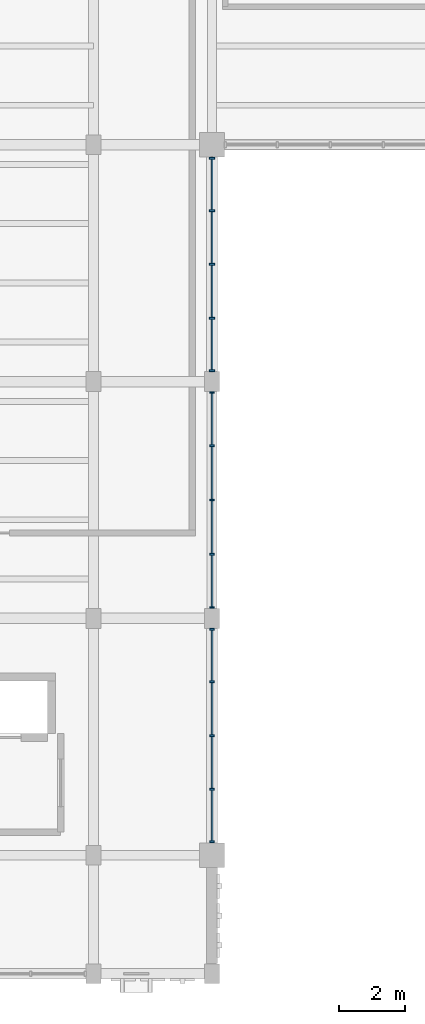
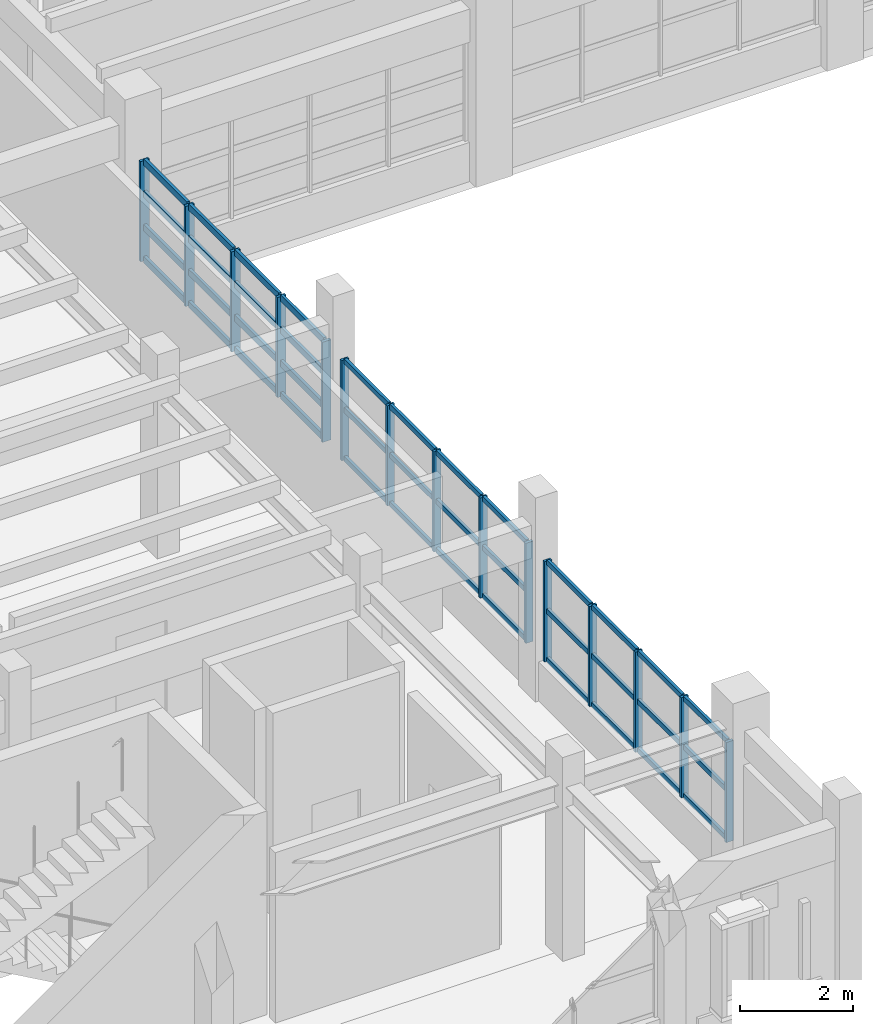
# One storey, part 15 of 69: 55 members, 3 elements without a shape of their own.
"""IFC4 building model written with IfcOpenShell, lengths in metres."""

from ifc_helpers import new_model, si_unit, direction, frame, origin, origin_2d, place, context, subcontext, project, spatial, rectangle, extrude, material, material_profile, profile_set, type_object, element, aggregate, save


model = new_model("IFC4")

# Units and contexts
model_context = context("Model", 3, precision=1e-05, world=origin(), true_north=direction((0.0, 1.0)))
body_context = subcontext(model_context, "Body", "Model", "MODEL_VIEW")
ifc_project = project(units=[si_unit("LENGTHUNIT", "METRE"), si_unit("AREAUNIT", "SQUARE_METRE"), si_unit("VOLUMEUNIT", "CUBIC_METRE"), si_unit("PLANEANGLEUNIT", "RADIAN"), si_unit("MASSUNIT", "GRAM", prefix="KILO")], contexts=[model_context])

# Site, building, storey
site_placement = place(None, origin())
site = spatial("IfcSite", under=ifc_project, at=site_placement, CompositionType="ELEMENT")
building_placement = place(site_placement, origin())
building = spatial("IfcBuilding", under=site, at=building_placement, Name="Nzembalo Square Collegiate School", CompositionType="ELEMENT")
storey_placement = place(building_placement, frame((0.0, 0.0, 5.10009765625)))
storey = spatial("IfcBuildingStorey", under=building, at=storey_placement, Name="L01", CompositionType="ELEMENT", Elevation=5.10009765625)

# Curtain wall, members
ifc_material_1 = material(Name="Aluminium 6060-T66", Category="aluminium")
curtain_wall_type_1 = type_object("IfcCurtainWallType", Name="CW-05", PredefinedType="USERDEFINED", material=ifc_material_1)
curtain_wall_1_placement = place(storey_placement, origin())
curtain_wall_1 = element("IfcCurtainWall", 1, at=curtain_wall_1_placement, inside=storey, type_object=curtain_wall_type_1, Name="Curtain wall CW-05 cw:L01:092", ObjectType="LANCET", PredefinedType="USERDEFINED")
ifc_material_2 = material(Name="Aluminium 6060-T66", Category="aluminium")
ifc_material_profile_1 = material_profile(ifc_material_2, rectangle(XDim=0.06005859375, YDim=0.179931640625, at=origin_2d()), Name="ALU M60x180")
ifc_profile_set_1 = profile_set([ifc_material_profile_1], Name="Aluminium 6060-T66")
member_type_1 = type_object("IfcMemberType", Name="ML01", PredefinedType="MULLION", material=ifc_profile_set_1)
member_1_placement = place(storey_placement, frame((40.800048828125, 97.531982421875, 0.849853515625), z_axis=(0.0, 0.0, 1.0), x_axis=(0.0, 1.0, 0.0)))
member_1 = element("IfcMember", 2, at=member_1_placement, type_object=member_type_1, Name="ML01 mullion 1", PredefinedType="MULLION", context=body_context, shape_type="SweptSolid", body=[
    extrude(rectangle(XDim=0.06005859375, YDim=0.179931640625, at=origin_2d()), origin(), (0.0, 0.0, 1.0), 2.174072265625),
])
member_2_placement = place(storey_placement, frame((40.800048828125, 99.13232421875, 0.849853515625), z_axis=(0.0, 0.0, 1.0), x_axis=(0.0, 1.0, 0.0)))
member_2 = element("IfcMember", 3, at=member_2_placement, type_object=member_type_1, Name="ML01 mullion 2", PredefinedType="MULLION", context=body_context, shape_type="SweptSolid", body=[
    extrude(rectangle(XDim=0.06005859375, YDim=0.179931640625, at=origin_2d()), origin(), (0.0, 0.0, 1.0), 2.174072265625),
])
member_3_placement = place(storey_placement, frame((40.800048828125, 100.762451171875, 0.849853515625), z_axis=(0.0, 0.0, 1.0), x_axis=(0.0, 1.0, 0.0)))
member_3 = element("IfcMember", 4, at=member_3_placement, type_object=member_type_1, Name="ML01 mullion 3", PredefinedType="MULLION", context=body_context, shape_type="SweptSolid", body=[
    extrude(rectangle(XDim=0.06005859375, YDim=0.179931640625, at=origin_2d()), origin(), (0.0, 0.0, 1.0), 2.174072265625),
])
member_4_placement = place(storey_placement, frame((40.800048828125, 102.392822265625, 0.849853515625), z_axis=(0.0, 0.0, 1.0), x_axis=(0.0, 1.0, 0.0)))
member_4 = element("IfcMember", 5, at=member_4_placement, type_object=member_type_1, Name="ML01 mullion 4", PredefinedType="MULLION", context=body_context, shape_type="SweptSolid", body=[
    extrude(rectangle(XDim=0.06005859375, YDim=0.179931640625, at=origin_2d()), origin(), (0.0, 0.0, 1.0), 2.174072265625),
])
member_5_placement = place(storey_placement, frame((40.800048828125, 103.992919921875, 0.849853515625), z_axis=(0.0, 0.0, 1.0), x_axis=(0.0, 1.0, 0.0)))
member_5 = element("IfcMember", 6, at=member_5_placement, type_object=member_type_1, Name="ML01 mullion 5", PredefinedType="MULLION", context=body_context, shape_type="SweptSolid", body=[
    extrude(rectangle(XDim=0.06005859375, YDim=0.179931640625, at=origin_2d()), origin(), (0.0, 0.0, 1.0), 2.174072265625),
])

ifc_material_3 = material(Name="Aluminium 6060-T66", Category="aluminium")
curtain_wall_type_2 = type_object("IfcCurtainWallType", Name="CW-03", PredefinedType="USERDEFINED", material=ifc_material_3)
curtain_wall_2_placement = place(storey_placement, origin())
curtain_wall_2 = element("IfcCurtainWall", 7, at=curtain_wall_2_placement, inside=storey, type_object=curtain_wall_type_2, Name="Curtain wall CW-03 cw:L01:090", ObjectType="UNITISED", PredefinedType="USERDEFINED")
ifc_material_4 = material(Name="Aluminium 6060-T66", Category="aluminium")
ifc_material_profile_2 = material_profile(ifc_material_4, rectangle(XDim=0.06005859375, YDim=0.14990234375, at=origin_2d()), Name="ALU M60x150")
ifc_profile_set_2 = profile_set([ifc_material_profile_2], Name="Aluminium 6060-T66")
member_type_2 = type_object("IfcMemberType", Name="ML02", PredefinedType="MULLION", material=ifc_profile_set_2)
member_6_placement = place(storey_placement, frame((40.800048828125, 83.20703125, 0.849853515625), z_axis=(0.0, 0.0, 1.0), x_axis=(0.0, 1.0, 0.0)))
member_6 = element("IfcMember", 8, at=member_6_placement, type_object=member_type_2, Name="ML02 mullion 1", PredefinedType="MULLION", context=body_context, shape_type="SweptSolid", body=[
    extrude(rectangle(XDim=0.06005859375, YDim=0.14990234375, at=origin_2d()), origin(), (0.0, 0.0, 1.0), 2.174072265625),
])
member_7_placement = place(storey_placement, frame((40.800048828125, 84.80712890625, 0.849853515625), z_axis=(0.0, 0.0, 1.0), x_axis=(0.0, 1.0, 0.0)))
member_7 = element("IfcMember", 9, at=member_7_placement, type_object=member_type_2, Name="ML02 mullion 2", PredefinedType="MULLION", context=body_context, shape_type="SweptSolid", body=[
    extrude(rectangle(XDim=0.06005859375, YDim=0.14990234375, at=origin_2d()), origin(), (0.0, 0.0, 1.0), 2.174072265625),
])
member_8_placement = place(storey_placement, frame((40.800048828125, 86.4375, 0.849853515625), z_axis=(0.0, 0.0, 1.0), x_axis=(0.0, 1.0, 0.0)))
member_8 = element("IfcMember", 10, at=member_8_placement, type_object=member_type_2, Name="ML02 mullion 3", PredefinedType="MULLION", context=body_context, shape_type="SweptSolid", body=[
    extrude(rectangle(XDim=0.06005859375, YDim=0.14990234375, at=origin_2d()), origin(), (0.0, 0.0, 1.0), 2.174072265625),
])
member_9_placement = place(storey_placement, frame((40.800048828125, 88.06787109375, 0.849853515625), z_axis=(0.0, 0.0, 1.0), x_axis=(0.0, 1.0, 0.0)))
member_9 = element("IfcMember", 11, at=member_9_placement, type_object=member_type_2, Name="ML02 mullion 4", PredefinedType="MULLION", context=body_context, shape_type="SweptSolid", body=[
    extrude(rectangle(XDim=0.06005859375, YDim=0.14990234375, at=origin_2d()), origin(), (0.0, 0.0, 1.0), 2.174072265625),
])
member_10_placement = place(storey_placement, frame((40.800048828125, 89.66796875, 0.849853515625), z_axis=(0.0, 0.0, 1.0), x_axis=(0.0, 1.0, 0.0)))
member_10 = element("IfcMember", 12, at=member_10_placement, type_object=member_type_2, Name="ML02 mullion 5", PredefinedType="MULLION", context=body_context, shape_type="SweptSolid", body=[
    extrude(rectangle(XDim=0.06005859375, YDim=0.14990234375, at=origin_2d()), origin(), (0.0, 0.0, 1.0), 2.174072265625),
])

ifc_material_5 = material(Name="Aluminium 6060-T66", Category="aluminium")
curtain_wall_type_3 = type_object("IfcCurtainWallType", Name="CW-04", PredefinedType="USERDEFINED", material=ifc_material_5)
curtain_wall_3_placement = place(storey_placement, origin())
curtain_wall_3 = element("IfcCurtainWall", 13, at=curtain_wall_3_placement, inside=storey, type_object=curtain_wall_type_3, Name="Curtain wall CW-04 cw:L01:091", ObjectType="UNITISED", PredefinedType="USERDEFINED")
member_11_placement = place(storey_placement, frame((40.800048828125, 90.33203125, 0.849853515625), z_axis=(0.0, 0.0, 1.0), x_axis=(0.0, 1.0, 0.0)))
member_11 = element("IfcMember", 14, at=member_11_placement, type_object=member_type_2, Name="ML02 mullion 1", PredefinedType="MULLION", context=body_context, shape_type="SweptSolid", body=[
    extrude(rectangle(XDim=0.06005859375, YDim=0.14990234375, at=origin_2d()), origin(), (0.0, 0.0, 1.0), 2.174072265625),
])
member_12_placement = place(storey_placement, frame((40.800048828125, 91.950927734375, 0.849853515625), z_axis=(0.0, 0.0, 1.0), x_axis=(0.0, 1.0, 0.0)))
member_12 = element("IfcMember", 15, at=member_12_placement, type_object=member_type_2, Name="ML02 mullion 2", PredefinedType="MULLION", context=body_context, shape_type="SweptSolid", body=[
    extrude(rectangle(XDim=0.06005859375, YDim=0.14990234375, at=origin_2d()), origin(), (0.0, 0.0, 1.0), 2.174072265625),
])
member_13_placement = place(storey_placement, frame((40.800048828125, 93.60009765625, 0.849853515625), z_axis=(0.0, 0.0, 1.0), x_axis=(0.0, 1.0, 0.0)))
member_13 = element("IfcMember", 16, at=member_13_placement, type_object=member_type_2, Name="ML02 mullion 3", PredefinedType="MULLION", context=body_context, shape_type="SweptSolid", body=[
    extrude(rectangle(XDim=0.06005859375, YDim=0.14990234375, at=origin_2d()), origin(), (0.0, 0.0, 1.0), 2.174072265625),
])
member_14_placement = place(storey_placement, frame((40.800048828125, 95.2490234375, 0.849853515625), z_axis=(0.0, 0.0, 1.0), x_axis=(0.0, 1.0, 0.0)))
member_14 = element("IfcMember", 17, at=member_14_placement, type_object=member_type_2, Name="ML02 mullion 4", PredefinedType="MULLION", context=body_context, shape_type="SweptSolid", body=[
    extrude(rectangle(XDim=0.06005859375, YDim=0.14990234375, at=origin_2d()), origin(), (0.0, 0.0, 1.0), 2.174072265625),
])
member_15_placement = place(storey_placement, frame((40.800048828125, 96.867919921875, 0.849853515625), z_axis=(0.0, 0.0, 1.0), x_axis=(0.0, 1.0, 0.0)))
member_15 = element("IfcMember", 18, at=member_15_placement, type_object=member_type_2, Name="ML02 mullion 5", PredefinedType="MULLION", context=body_context, shape_type="SweptSolid", body=[
    extrude(rectangle(XDim=0.06005859375, YDim=0.14990234375, at=origin_2d()), origin(), (0.0, 0.0, 1.0), 2.174072265625),
])

# Member
ifc_material_6 = material(Name="Aluminium 6060-T66", Category="aluminium")
ifc_material_profile_3 = material_profile(ifc_material_6, rectangle(XDim=0.06005859375, YDim=0.139892578125, at=origin_2d()), Name="ALU T60x140")
ifc_profile_set_3 = profile_set([ifc_material_profile_3], Name="Aluminium 6060-T66")
member_type_3 = type_object("IfcMemberType", Name="TR01", PredefinedType="USERDEFINED", material=ifc_profile_set_3)
member_16_placement = place(storey_placement, frame((40.800048828125, 97.56201171875, 0.8798828125), z_axis=(0.0, 1.0, 0.0), x_axis=(-1.0, 0.0, 0.0)))
member_16 = element("IfcMember", 19, at=member_16_placement, type_object=member_type_3, Name="TR01 transom 1-1", ObjectType="TRANSOM", PredefinedType="USERDEFINED", context=body_context, shape_type="SweptSolid", body=[
    extrude(rectangle(XDim=0.06005859375, YDim=0.139892578125, at=origin_2d()), origin(), (0.0, 0.0, 1.0), 1.540283203125),
])

member_17_placement = place(storey_placement, frame((40.800048828125, 99.162353515625, 0.8798828125), z_axis=(0.0, 1.0, 0.0), x_axis=(-1.0, 0.0, 0.0)))
member_17 = element("IfcMember", 20, at=member_17_placement, type_object=member_type_3, Name="TR01 transom 1-2", ObjectType="TRANSOM", PredefinedType="USERDEFINED", context=body_context, shape_type="SweptSolid", body=[
    extrude(rectangle(XDim=0.06005859375, YDim=0.139892578125, at=origin_2d()), origin(), (0.0, 0.0, 1.0), 1.570068359375),
])

member_18_placement = place(storey_placement, frame((40.800048828125, 100.79248046875, 0.8798828125), z_axis=(0.0, 1.0, 0.0), x_axis=(-1.0, 0.0, 0.0)))
member_18 = element("IfcMember", 21, at=member_18_placement, type_object=member_type_3, Name="TR01 transom 1-3", ObjectType="TRANSOM", PredefinedType="USERDEFINED", context=body_context, shape_type="SweptSolid", body=[
    extrude(rectangle(XDim=0.06005859375, YDim=0.139892578125, at=origin_2d()), origin(), (0.0, 0.0, 1.0), 1.5703125),
])

member_19_placement = place(storey_placement, frame((40.800048828125, 102.4228515625, 0.8798828125), z_axis=(0.0, 1.0, 0.0), x_axis=(-1.0, 0.0, 0.0)))
member_19 = element("IfcMember", 22, at=member_19_placement, type_object=member_type_3, Name="TR01 transom 1-4", ObjectType="TRANSOM", PredefinedType="USERDEFINED", context=body_context, shape_type="SweptSolid", body=[
    extrude(rectangle(XDim=0.06005859375, YDim=0.139892578125, at=origin_2d()), origin(), (0.0, 0.0, 1.0), 1.5400390625),
])

member_20_placement = place(storey_placement, frame((40.800048828125, 97.56201171875, 1.574462890625), z_axis=(0.0, 1.0, 0.0), x_axis=(-1.0, 0.0, 0.0)))
member_20 = element("IfcMember", 23, at=member_20_placement, type_object=member_type_3, Name="TR01 transom 2-1", ObjectType="TRANSOM", PredefinedType="USERDEFINED", context=body_context, shape_type="SweptSolid", body=[
    extrude(rectangle(XDim=0.06005859375, YDim=0.139892578125, at=origin_2d()), origin(), (0.0, 0.0, 1.0), 1.540283203125),
])

member_21_placement = place(storey_placement, frame((40.800048828125, 99.162353515625, 1.574462890625), z_axis=(0.0, 1.0, 0.0), x_axis=(-1.0, 0.0, 0.0)))
member_21 = element("IfcMember", 24, at=member_21_placement, type_object=member_type_3, Name="TR01 transom 2-2", ObjectType="TRANSOM", PredefinedType="USERDEFINED", context=body_context, shape_type="SweptSolid", body=[
    extrude(rectangle(XDim=0.06005859375, YDim=0.139892578125, at=origin_2d()), origin(), (0.0, 0.0, 1.0), 1.570068359375),
])

member_22_placement = place(storey_placement, frame((40.800048828125, 100.79248046875, 1.574462890625), z_axis=(0.0, 1.0, 0.0), x_axis=(-1.0, 0.0, 0.0)))
member_22 = element("IfcMember", 25, at=member_22_placement, type_object=member_type_3, Name="TR01 transom 2-3", ObjectType="TRANSOM", PredefinedType="USERDEFINED", context=body_context, shape_type="SweptSolid", body=[
    extrude(rectangle(XDim=0.06005859375, YDim=0.139892578125, at=origin_2d()), origin(), (0.0, 0.0, 1.0), 1.5703125),
])

member_23_placement = place(storey_placement, frame((40.800048828125, 102.4228515625, 1.574462890625), z_axis=(0.0, 1.0, 0.0), x_axis=(-1.0, 0.0, 0.0)))
member_23 = element("IfcMember", 26, at=member_23_placement, type_object=member_type_3, Name="TR01 transom 2-4", ObjectType="TRANSOM", PredefinedType="USERDEFINED", context=body_context, shape_type="SweptSolid", body=[
    extrude(rectangle(XDim=0.06005859375, YDim=0.139892578125, at=origin_2d()), origin(), (0.0, 0.0, 1.0), 1.5400390625),
])

member_24_placement = place(storey_placement, frame((40.800048828125, 97.56201171875, 2.29931640625), z_axis=(0.0, 1.0, 0.0), x_axis=(-1.0, 0.0, 0.0)))
member_24 = element("IfcMember", 27, at=member_24_placement, type_object=member_type_3, Name="TR01 transom 3-1", ObjectType="TRANSOM", PredefinedType="USERDEFINED", context=body_context, shape_type="SweptSolid", body=[
    extrude(rectangle(XDim=0.06005859375, YDim=0.139892578125, at=origin_2d()), origin(), (0.0, 0.0, 1.0), 1.540283203125),
])

member_25_placement = place(storey_placement, frame((40.800048828125, 99.162353515625, 2.29931640625), z_axis=(0.0, 1.0, 0.0), x_axis=(-1.0, 0.0, 0.0)))
member_25 = element("IfcMember", 28, at=member_25_placement, type_object=member_type_3, Name="TR01 transom 3-2", ObjectType="TRANSOM", PredefinedType="USERDEFINED", context=body_context, shape_type="SweptSolid", body=[
    extrude(rectangle(XDim=0.06005859375, YDim=0.139892578125, at=origin_2d()), origin(), (0.0, 0.0, 1.0), 1.570068359375),
])

member_26_placement = place(storey_placement, frame((40.800048828125, 100.79248046875, 2.29931640625), z_axis=(0.0, 1.0, 0.0), x_axis=(-1.0, 0.0, 0.0)))
member_26 = element("IfcMember", 29, at=member_26_placement, type_object=member_type_3, Name="TR01 transom 3-3", ObjectType="TRANSOM", PredefinedType="USERDEFINED", context=body_context, shape_type="SweptSolid", body=[
    extrude(rectangle(XDim=0.06005859375, YDim=0.139892578125, at=origin_2d()), origin(), (0.0, 0.0, 1.0), 1.5703125),
])

member_27_placement = place(storey_placement, frame((40.800048828125, 102.4228515625, 2.29931640625), z_axis=(0.0, 1.0, 0.0), x_axis=(-1.0, 0.0, 0.0)))
member_27 = element("IfcMember", 30, at=member_27_placement, type_object=member_type_3, Name="TR01 transom 3-4", ObjectType="TRANSOM", PredefinedType="USERDEFINED", context=body_context, shape_type="SweptSolid", body=[
    extrude(rectangle(XDim=0.06005859375, YDim=0.139892578125, at=origin_2d()), origin(), (0.0, 0.0, 1.0), 1.5400390625),
])

member_28_placement = place(storey_placement, frame((40.800048828125, 97.56201171875, 2.993896484375), z_axis=(0.0, 1.0, 0.0), x_axis=(-1.0, 0.0, 0.0)))
member_28 = element("IfcMember", 31, at=member_28_placement, type_object=member_type_3, Name="TR01 transom 4-1", ObjectType="TRANSOM", PredefinedType="USERDEFINED", context=body_context, shape_type="SweptSolid", body=[
    extrude(rectangle(XDim=0.06005859375, YDim=0.139892578125, at=origin_2d()), origin(), (0.0, 0.0, 1.0), 1.540283203125),
])

member_29_placement = place(storey_placement, frame((40.800048828125, 99.162353515625, 2.993896484375), z_axis=(0.0, 1.0, 0.0), x_axis=(-1.0, 0.0, 0.0)))
member_29 = element("IfcMember", 32, at=member_29_placement, type_object=member_type_3, Name="TR01 transom 4-2", ObjectType="TRANSOM", PredefinedType="USERDEFINED", context=body_context, shape_type="SweptSolid", body=[
    extrude(rectangle(XDim=0.06005859375, YDim=0.139892578125, at=origin_2d()), origin(), (0.0, 0.0, 1.0), 1.570068359375),
])

member_30_placement = place(storey_placement, frame((40.800048828125, 100.79248046875, 2.993896484375), z_axis=(0.0, 1.0, 0.0), x_axis=(-1.0, 0.0, 0.0)))
member_30 = element("IfcMember", 33, at=member_30_placement, type_object=member_type_3, Name="TR01 transom 4-3", ObjectType="TRANSOM", PredefinedType="USERDEFINED", context=body_context, shape_type="SweptSolid", body=[
    extrude(rectangle(XDim=0.06005859375, YDim=0.139892578125, at=origin_2d()), origin(), (0.0, 0.0, 1.0), 1.5703125),
])

member_31_placement = place(storey_placement, frame((40.800048828125, 102.4228515625, 2.993896484375), z_axis=(0.0, 1.0, 0.0), x_axis=(-1.0, 0.0, 0.0)))
member_31 = element("IfcMember", 34, at=member_31_placement, type_object=member_type_3, Name="TR01 transom 4-4", ObjectType="TRANSOM", PredefinedType="USERDEFINED", context=body_context, shape_type="SweptSolid", body=[
    extrude(rectangle(XDim=0.06005859375, YDim=0.139892578125, at=origin_2d()), origin(), (0.0, 0.0, 1.0), 1.5400390625),
])

aggregate(curtain_wall_1, [member_1, member_2, member_3, member_4, member_5, member_16, member_17, member_18, member_19, member_20, member_21, member_22, member_23, member_24, member_25, member_26, member_27, member_28, member_29, member_30, member_31])

ifc_material_7 = material(Name="Aluminium 6060-T66", Category="aluminium")
ifc_material_profile_4 = material_profile(ifc_material_7, rectangle(XDim=0.06005859375, YDim=0.110107421875, at=origin_2d()), Name="ALU T60x110")
ifc_profile_set_4 = profile_set([ifc_material_profile_4], Name="Aluminium 6060-T66")
member_type_4 = type_object("IfcMemberType", Name="TR02", PredefinedType="USERDEFINED", material=ifc_profile_set_4)
member_32_placement = place(storey_placement, frame((40.800048828125, 83.237060546875, 0.8798828125), z_axis=(0.0, 1.0, 0.0), x_axis=(-1.0, 0.0, 0.0)))
member_32 = element("IfcMember", 35, at=member_32_placement, type_object=member_type_4, Name="TR02 transom 1-1", ObjectType="TRANSOM", PredefinedType="USERDEFINED", context=body_context, shape_type="SweptSolid", body=[
    extrude(rectangle(XDim=0.06005859375, YDim=0.110107421875, at=origin_2d()), origin(), (0.0, 0.0, 1.0), 1.540283203125),
])

member_33_placement = place(storey_placement, frame((40.800048828125, 84.837158203125, 0.8798828125), z_axis=(0.0, 1.0, 0.0), x_axis=(-1.0, 0.0, 0.0)))
member_33 = element("IfcMember", 36, at=member_33_placement, type_object=member_type_4, Name="TR02 transom 1-2", ObjectType="TRANSOM", PredefinedType="USERDEFINED", context=body_context, shape_type="SweptSolid", body=[
    extrude(rectangle(XDim=0.06005859375, YDim=0.110107421875, at=origin_2d()), origin(), (0.0, 0.0, 1.0), 1.5703125),
])

member_34_placement = place(storey_placement, frame((40.800048828125, 86.467529296875, 0.8798828125), z_axis=(0.0, 1.0, 0.0), x_axis=(-1.0, 0.0, 0.0)))
member_34 = element("IfcMember", 37, at=member_34_placement, type_object=member_type_4, Name="TR02 transom 1-3", ObjectType="TRANSOM", PredefinedType="USERDEFINED", context=body_context, shape_type="SweptSolid", body=[
    extrude(rectangle(XDim=0.06005859375, YDim=0.110107421875, at=origin_2d()), origin(), (0.0, 0.0, 1.0), 1.5703125),
])

member_35_placement = place(storey_placement, frame((40.800048828125, 88.09765625, 0.8798828125), z_axis=(0.0, 1.0, 0.0), x_axis=(-1.0, 0.0, 0.0)))
member_35 = element("IfcMember", 38, at=member_35_placement, type_object=member_type_4, Name="TR02 transom 1-4", ObjectType="TRANSOM", PredefinedType="USERDEFINED", context=body_context, shape_type="SweptSolid", body=[
    extrude(rectangle(XDim=0.06005859375, YDim=0.110107421875, at=origin_2d()), origin(), (0.0, 0.0, 1.0), 1.540283203125),
])

member_36_placement = place(storey_placement, frame((40.800048828125, 83.237060546875, 1.93701171875), z_axis=(0.0, 1.0, 0.0), x_axis=(-1.0, 0.0, 0.0)))
member_36 = element("IfcMember", 39, at=member_36_placement, type_object=member_type_4, Name="TR02 transom 2-1", ObjectType="TRANSOM", PredefinedType="USERDEFINED", context=body_context, shape_type="SweptSolid", body=[
    extrude(rectangle(XDim=0.06005859375, YDim=0.110107421875, at=origin_2d()), origin(), (0.0, 0.0, 1.0), 1.540283203125),
])

member_37_placement = place(storey_placement, frame((40.800048828125, 84.837158203125, 1.93701171875), z_axis=(0.0, 1.0, 0.0), x_axis=(-1.0, 0.0, 0.0)))
member_37 = element("IfcMember", 40, at=member_37_placement, type_object=member_type_4, Name="TR02 transom 2-2", ObjectType="TRANSOM", PredefinedType="USERDEFINED", context=body_context, shape_type="SweptSolid", body=[
    extrude(rectangle(XDim=0.06005859375, YDim=0.110107421875, at=origin_2d()), origin(), (0.0, 0.0, 1.0), 1.5703125),
])

member_38_placement = place(storey_placement, frame((40.800048828125, 86.467529296875, 1.93701171875), z_axis=(0.0, 1.0, 0.0), x_axis=(-1.0, 0.0, 0.0)))
member_38 = element("IfcMember", 41, at=member_38_placement, type_object=member_type_4, Name="TR02 transom 2-3", ObjectType="TRANSOM", PredefinedType="USERDEFINED", context=body_context, shape_type="SweptSolid", body=[
    extrude(rectangle(XDim=0.06005859375, YDim=0.110107421875, at=origin_2d()), origin(), (0.0, 0.0, 1.0), 1.5703125),
])

member_39_placement = place(storey_placement, frame((40.800048828125, 88.09765625, 1.93701171875), z_axis=(0.0, 1.0, 0.0), x_axis=(-1.0, 0.0, 0.0)))
member_39 = element("IfcMember", 42, at=member_39_placement, type_object=member_type_4, Name="TR02 transom 2-4", ObjectType="TRANSOM", PredefinedType="USERDEFINED", context=body_context, shape_type="SweptSolid", body=[
    extrude(rectangle(XDim=0.06005859375, YDim=0.110107421875, at=origin_2d()), origin(), (0.0, 0.0, 1.0), 1.540283203125),
])

member_40_placement = place(storey_placement, frame((40.800048828125, 83.237060546875, 2.993896484375), z_axis=(0.0, 1.0, 0.0), x_axis=(-1.0, 0.0, 0.0)))
member_40 = element("IfcMember", 43, at=member_40_placement, type_object=member_type_4, Name="TR02 transom 3-1", ObjectType="TRANSOM", PredefinedType="USERDEFINED", context=body_context, shape_type="SweptSolid", body=[
    extrude(rectangle(XDim=0.06005859375, YDim=0.110107421875, at=origin_2d()), origin(), (0.0, 0.0, 1.0), 1.540283203125),
])

member_41_placement = place(storey_placement, frame((40.800048828125, 84.837158203125, 2.993896484375), z_axis=(0.0, 1.0, 0.0), x_axis=(-1.0, 0.0, 0.0)))
member_41 = element("IfcMember", 44, at=member_41_placement, type_object=member_type_4, Name="TR02 transom 3-2", ObjectType="TRANSOM", PredefinedType="USERDEFINED", context=body_context, shape_type="SweptSolid", body=[
    extrude(rectangle(XDim=0.06005859375, YDim=0.110107421875, at=origin_2d()), origin(), (0.0, 0.0, 1.0), 1.5703125),
])

member_42_placement = place(storey_placement, frame((40.800048828125, 86.467529296875, 2.993896484375), z_axis=(0.0, 1.0, 0.0), x_axis=(-1.0, 0.0, 0.0)))
member_42 = element("IfcMember", 45, at=member_42_placement, type_object=member_type_4, Name="TR02 transom 3-3", ObjectType="TRANSOM", PredefinedType="USERDEFINED", context=body_context, shape_type="SweptSolid", body=[
    extrude(rectangle(XDim=0.06005859375, YDim=0.110107421875, at=origin_2d()), origin(), (0.0, 0.0, 1.0), 1.5703125),
])

member_43_placement = place(storey_placement, frame((40.800048828125, 88.09765625, 2.993896484375), z_axis=(0.0, 1.0, 0.0), x_axis=(-1.0, 0.0, 0.0)))
member_43 = element("IfcMember", 46, at=member_43_placement, type_object=member_type_4, Name="TR02 transom 3-4", ObjectType="TRANSOM", PredefinedType="USERDEFINED", context=body_context, shape_type="SweptSolid", body=[
    extrude(rectangle(XDim=0.06005859375, YDim=0.110107421875, at=origin_2d()), origin(), (0.0, 0.0, 1.0), 1.540283203125),
])

aggregate(curtain_wall_2, [member_6, member_7, member_8, member_9, member_10, member_32, member_33, member_34, member_35, member_36, member_37, member_38, member_39, member_40, member_41, member_42, member_43])

member_44_placement = place(storey_placement, frame((40.800048828125, 90.362060546875, 0.8798828125), z_axis=(0.0, 1.0, 0.0), x_axis=(-1.0, 0.0, 0.0)))
member_44 = element("IfcMember", 47, at=member_44_placement, type_object=member_type_4, Name="TR02 transom 1-1", ObjectType="TRANSOM", PredefinedType="USERDEFINED", context=body_context, shape_type="SweptSolid", body=[
    extrude(rectangle(XDim=0.06005859375, YDim=0.110107421875, at=origin_2d()), origin(), (0.0, 0.0, 1.0), 1.558837890625),
])

member_45_placement = place(storey_placement, frame((40.800048828125, 91.98095703125, 0.8798828125), z_axis=(0.0, 1.0, 0.0), x_axis=(-1.0, 0.0, 0.0)))
member_45 = element("IfcMember", 48, at=member_45_placement, type_object=member_type_4, Name="TR02 transom 1-2", ObjectType="TRANSOM", PredefinedType="USERDEFINED", context=body_context, shape_type="SweptSolid", body=[
    extrude(rectangle(XDim=0.06005859375, YDim=0.110107421875, at=origin_2d()), origin(), (0.0, 0.0, 1.0), 1.589111328125),
])

member_46_placement = place(storey_placement, frame((40.800048828125, 93.6298828125, 0.8798828125), z_axis=(0.0, 1.0, 0.0), x_axis=(-1.0, 0.0, 0.0)))
member_46 = element("IfcMember", 49, at=member_46_placement, type_object=member_type_4, Name="TR02 transom 1-3", ObjectType="TRANSOM", PredefinedType="USERDEFINED", context=body_context, shape_type="SweptSolid", body=[
    extrude(rectangle(XDim=0.06005859375, YDim=0.110107421875, at=origin_2d()), origin(), (0.0, 0.0, 1.0), 1.589111328125),
])

member_47_placement = place(storey_placement, frame((40.800048828125, 95.279052734375, 0.8798828125), z_axis=(0.0, 1.0, 0.0), x_axis=(-1.0, 0.0, 0.0)))
member_47 = element("IfcMember", 50, at=member_47_placement, type_object=member_type_4, Name="TR02 transom 1-4", ObjectType="TRANSOM", PredefinedType="USERDEFINED", context=body_context, shape_type="SweptSolid", body=[
    extrude(rectangle(XDim=0.06005859375, YDim=0.110107421875, at=origin_2d()), origin(), (0.0, 0.0, 1.0), 1.558837890625),
])

member_48_placement = place(storey_placement, frame((40.800048828125, 90.362060546875, 1.93701171875), z_axis=(0.0, 1.0, 0.0), x_axis=(-1.0, 0.0, 0.0)))
member_48 = element("IfcMember", 51, at=member_48_placement, type_object=member_type_4, Name="TR02 transom 2-1", ObjectType="TRANSOM", PredefinedType="USERDEFINED", context=body_context, shape_type="SweptSolid", body=[
    extrude(rectangle(XDim=0.06005859375, YDim=0.110107421875, at=origin_2d()), origin(), (0.0, 0.0, 1.0), 1.558837890625),
])

member_49_placement = place(storey_placement, frame((40.800048828125, 91.98095703125, 1.93701171875), z_axis=(0.0, 1.0, 0.0), x_axis=(-1.0, 0.0, 0.0)))
member_49 = element("IfcMember", 52, at=member_49_placement, type_object=member_type_4, Name="TR02 transom 2-2", ObjectType="TRANSOM", PredefinedType="USERDEFINED", context=body_context, shape_type="SweptSolid", body=[
    extrude(rectangle(XDim=0.06005859375, YDim=0.110107421875, at=origin_2d()), origin(), (0.0, 0.0, 1.0), 1.589111328125),
])

member_50_placement = place(storey_placement, frame((40.800048828125, 93.6298828125, 1.93701171875), z_axis=(0.0, 1.0, 0.0), x_axis=(-1.0, 0.0, 0.0)))
member_50 = element("IfcMember", 53, at=member_50_placement, type_object=member_type_4, Name="TR02 transom 2-3", ObjectType="TRANSOM", PredefinedType="USERDEFINED", context=body_context, shape_type="SweptSolid", body=[
    extrude(rectangle(XDim=0.06005859375, YDim=0.110107421875, at=origin_2d()), origin(), (0.0, 0.0, 1.0), 1.589111328125),
])

member_51_placement = place(storey_placement, frame((40.800048828125, 95.279052734375, 1.93701171875), z_axis=(0.0, 1.0, 0.0), x_axis=(-1.0, 0.0, 0.0)))
member_51 = element("IfcMember", 54, at=member_51_placement, type_object=member_type_4, Name="TR02 transom 2-4", ObjectType="TRANSOM", PredefinedType="USERDEFINED", context=body_context, shape_type="SweptSolid", body=[
    extrude(rectangle(XDim=0.06005859375, YDim=0.110107421875, at=origin_2d()), origin(), (0.0, 0.0, 1.0), 1.558837890625),
])

member_52_placement = place(storey_placement, frame((40.800048828125, 90.362060546875, 2.993896484375), z_axis=(0.0, 1.0, 0.0), x_axis=(-1.0, 0.0, 0.0)))
member_52 = element("IfcMember", 55, at=member_52_placement, type_object=member_type_4, Name="TR02 transom 3-1", ObjectType="TRANSOM", PredefinedType="USERDEFINED", context=body_context, shape_type="SweptSolid", body=[
    extrude(rectangle(XDim=0.06005859375, YDim=0.110107421875, at=origin_2d()), origin(), (0.0, 0.0, 1.0), 1.558837890625),
])

member_53_placement = place(storey_placement, frame((40.800048828125, 91.98095703125, 2.993896484375), z_axis=(0.0, 1.0, 0.0), x_axis=(-1.0, 0.0, 0.0)))
member_53 = element("IfcMember", 56, at=member_53_placement, type_object=member_type_4, Name="TR02 transom 3-2", ObjectType="TRANSOM", PredefinedType="USERDEFINED", context=body_context, shape_type="SweptSolid", body=[
    extrude(rectangle(XDim=0.06005859375, YDim=0.110107421875, at=origin_2d()), origin(), (0.0, 0.0, 1.0), 1.589111328125),
])

member_54_placement = place(storey_placement, frame((40.800048828125, 93.6298828125, 2.993896484375), z_axis=(0.0, 1.0, 0.0), x_axis=(-1.0, 0.0, 0.0)))
member_54 = element("IfcMember", 57, at=member_54_placement, type_object=member_type_4, Name="TR02 transom 3-3", ObjectType="TRANSOM", PredefinedType="USERDEFINED", context=body_context, shape_type="SweptSolid", body=[
    extrude(rectangle(XDim=0.06005859375, YDim=0.110107421875, at=origin_2d()), origin(), (0.0, 0.0, 1.0), 1.589111328125),
])

member_55_placement = place(storey_placement, frame((40.800048828125, 95.279052734375, 2.993896484375), z_axis=(0.0, 1.0, 0.0), x_axis=(-1.0, 0.0, 0.0)))
member_55 = element("IfcMember", 58, at=member_55_placement, type_object=member_type_4, Name="TR02 transom 3-4", ObjectType="TRANSOM", PredefinedType="USERDEFINED", context=body_context, shape_type="SweptSolid", body=[
    extrude(rectangle(XDim=0.06005859375, YDim=0.110107421875, at=origin_2d()), origin(), (0.0, 0.0, 1.0), 1.558837890625),
])

aggregate(curtain_wall_3, [member_11, member_12, member_13, member_14, member_15, member_44, member_45, member_46, member_47, member_48, member_49, member_50, member_51, member_52, member_53, member_54, member_55])

save(model, "model.ifc")
